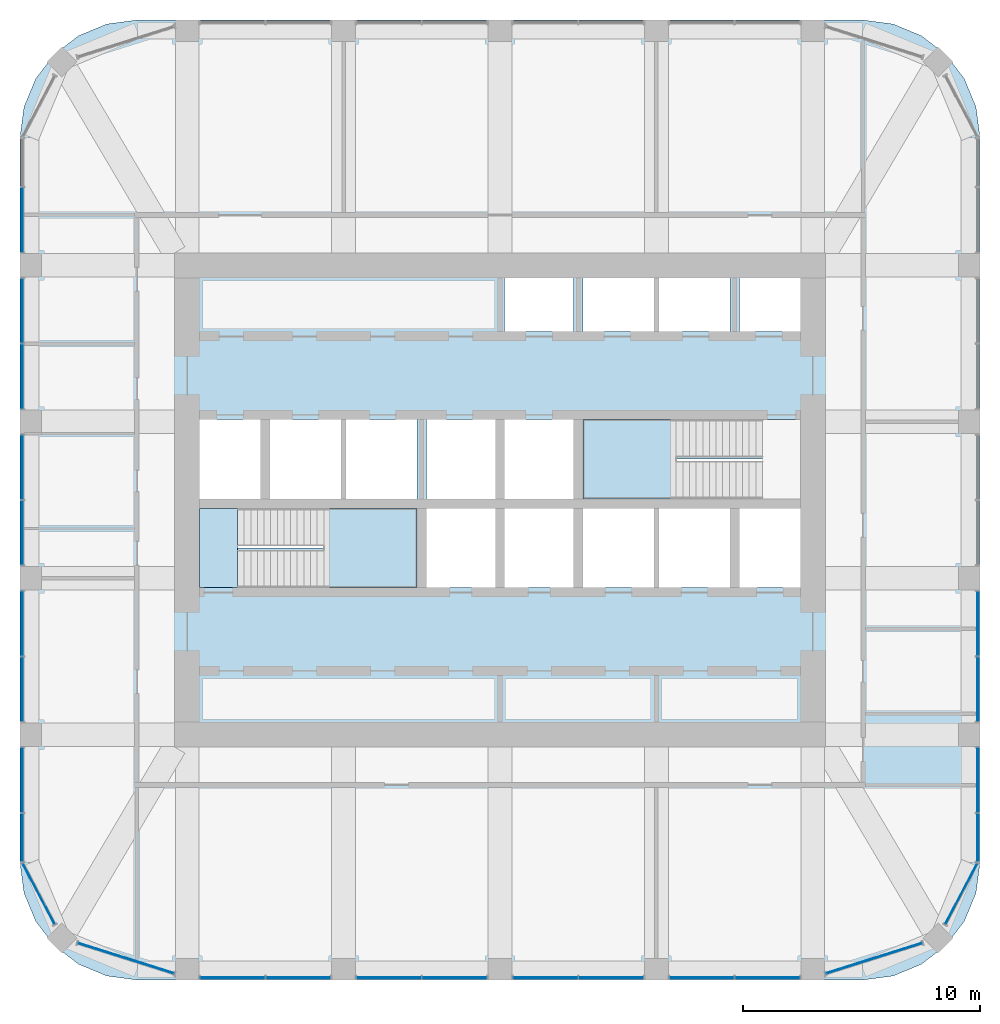
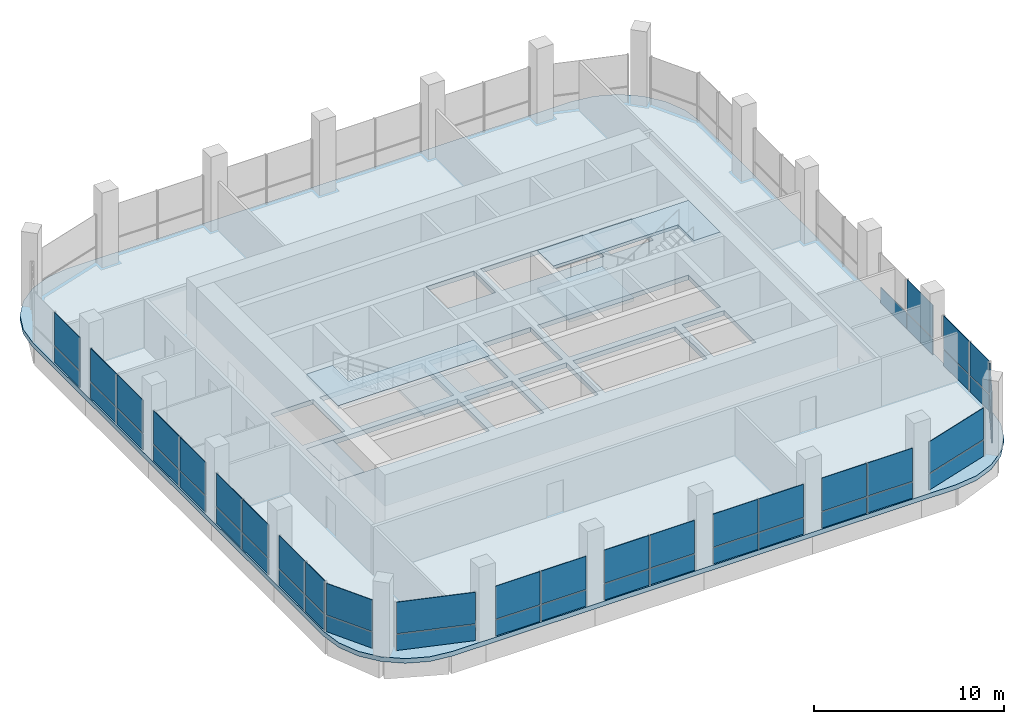
# One storey, part 7 of 13: 49 plates, 6 slabs, 17 elements without a shape of their own.
"""IFC4 building model written with IfcOpenShell, lengths in metres."""

from ifc_helpers import new_model, si_unit, direction, frame, origin, origin_2d, place, context, subcontext, project, spatial, polyline, rectangle, outline, extrude, material, layer, layer_set, type_object, element, aggregate, save


model = new_model("IFC4")

# Units and contexts
model_context = context("Model", 3, precision=1e-05, world=origin(), true_north=direction((0.0, 1.0)))
body_context = subcontext(model_context, "Body", "Model", "MODEL_VIEW")
ifc_project = project(units=[si_unit("LENGTHUNIT", "METRE"), si_unit("AREAUNIT", "SQUARE_METRE"), si_unit("VOLUMEUNIT", "CUBIC_METRE"), si_unit("PLANEANGLEUNIT", "RADIAN"), si_unit("MASSUNIT", "GRAM", prefix="KILO")], contexts=[model_context])

# Site, building, storey
site_placement = place(None, origin())
site = spatial("IfcSite", under=ifc_project, at=site_placement, CompositionType="ELEMENT")
building_placement = place(site_placement, origin())
building = spatial("IfcBuilding", under=site, at=building_placement, Name="Cobogo Forest Laboratory Tower", CompositionType="ELEMENT")
storey_placement = place(building_placement, frame((0.0, 0.0, 288.0)))
storey = spatial("IfcBuildingStorey", under=building, at=storey_placement, Name="L66", CompositionType="ELEMENT", Elevation=288.0)

# Slab
ifc_material_1 = material(Name="Concrete HA-40 (C40/50)", Category="concrete")
ifc_layer_1 = layer(ifc_material_1, 0.300048828125)
ifc_layer_set_1 = layer_set([ifc_layer_1], Name="Floor slab 300")
slab_type_1 = type_object("IfcSlabType", Name="Floor slab 300", PredefinedType="FLOOR", material=ifc_layer_set_1)
slab_1_placement = place(storey_placement, frame((0.0, 0.0, -0.300048828125)))
element("IfcSlab", 1, at=slab_1_placement, inside=storey, type_object=slab_type_1, Name="L66 floor slab", PredefinedType="FLOOR", context=body_context, shape_type="SweptSolid", body=[
    extrude(outline(polyline([(41.699951171875, 2.85009765625), (42.981201171875, 3.0185546875), (44.175048828125, 3.51318359375), (45.2001953125, 4.2998046875), (45.98681640625, 5.324951171875), (46.4814453125, 6.518798828125), (46.64990234375, 7.800048828125), (46.64990234375, 38.39990234375), (46.4814453125, 39.68115234375), (45.98681640625, 40.875), (45.2001953125, 41.900146484375), (44.175048828125, 42.686767578125), (42.981201171875, 43.181396484375), (41.699951171875, 43.35009765625), (11.10009765625, 43.35009765625), (9.81884765625, 43.181396484375), (8.625, 42.686767578125), (7.599853515625, 41.900146484375), (6.813232421875, 40.875), (6.318603515625, 39.68115234375), (6.14990234375, 38.39990234375), (6.14990234375, 7.800048828125), (6.318603515625, 6.518798828125), (6.813232421875, 5.324951171875), (7.599853515625, 4.2998046875), (8.625, 3.51318359375), (9.81884765625, 3.0185546875), (11.10009765625, 2.85009765625), (41.699951171875, 2.85009765625)]), holes=[polyline([(22.89990234375, 19.39990234375), (13.72509765625, 19.39990234375), (13.72509765625, 22.75), (22.89990234375, 22.75), (22.89990234375, 19.39990234375)]), polyline([(26.199951171875, 19.39990234375), (23.300048828125, 19.39990234375), (23.300048828125, 22.75), (26.199951171875, 22.75), (26.199951171875, 19.39990234375)]), polyline([(29.5, 19.39990234375), (26.60009765625, 19.39990234375), (26.60009765625, 22.75), (29.5, 22.75), (29.5, 19.39990234375)]), polyline([(36.10009765625, 22.75), (36.10009765625, 19.39990234375), (29.89990234375, 19.39990234375), (29.89990234375, 22.75), (36.10009765625, 22.75)]), polyline([(39.074951171875, 19.39990234375), (36.5, 19.39990234375), (36.5, 22.75), (39.074951171875, 22.75), (39.074951171875, 19.39990234375)]), polyline([(16.300048828125, 23.14990234375), (13.72509765625, 23.14990234375), (13.72509765625, 26.5), (16.300048828125, 26.5), (16.300048828125, 23.14990234375)]), polyline([(22.89990234375, 26.5), (22.89990234375, 23.14990234375), (16.699951171875, 23.14990234375), (16.699951171875, 26.5), (22.89990234375, 26.5)]), polyline([(26.199951171875, 23.14990234375), (23.300048828125, 23.14990234375), (23.300048828125, 26.5), (26.199951171875, 26.5), (26.199951171875, 23.14990234375)]), polyline([(29.5, 23.14990234375), (26.60009765625, 23.14990234375), (26.60009765625, 26.5), (29.5, 26.5), (29.5, 23.14990234375)]), polyline([(39.074951171875, 23.14990234375), (29.89990234375, 23.14990234375), (29.89990234375, 26.5), (39.074951171875, 26.5), (39.074951171875, 23.14990234375)]), polyline([(29.5, 30.199951171875), (26.60009765625, 30.199951171875), (26.60009765625, 32.47509765625), (29.5, 32.47509765625), (29.5, 30.199951171875)]), polyline([(36.10009765625, 32.47509765625), (36.10009765625, 30.199951171875), (29.89990234375, 30.199951171875), (29.89990234375, 32.47509765625), (36.10009765625, 32.47509765625)]), polyline([(39.074951171875, 30.199951171875), (36.5, 30.199951171875), (36.5, 32.47509765625), (39.074951171875, 32.47509765625), (39.074951171875, 30.199951171875)])]), origin(), (0.0, 0.0, 1.0), 0.300048828125),
])

# Curtain wall, plates
ifc_material_2 = material(Name="Aluminium curtain wall", Category="aluminium")
curtain_wall_type = type_object("IfcCurtainWallType", Name="CW-C stick curtain wall, crown glazing, conference floor and roof pavilion", PredefinedType="USERDEFINED", material=ifc_material_2)
curtain_wall_1_placement = place(storey_placement, origin())
curtain_wall_1 = element("IfcCurtainWall", 2, at=curtain_wall_1_placement, inside=storey, type_object=curtain_wall_type, Name="Curtain wall 01 L66", ObjectType="STICK CURTAIN WALL", PredefinedType="USERDEFINED")
ifc_material_3 = material(Name="Solar control insulated glass", Category="glass")
ifc_layer_2 = layer(ifc_material_3, 0.031982421875)
ifc_layer_set_2 = layer_set([ifc_layer_2], Name="GP-2 solar control glass unit 32")
plate_type = type_object("IfcPlateType", Name="GP-2 solar control glass unit 32", PredefinedType="CURTAIN_PANEL", material=ifc_layer_set_2)
plate_1_placement = place(storey_placement, frame((15.114990234375, 2.949951171875, 0.0), z_axis=(0.0, 0.0, 1.0), x_axis=(1.0, 0.0, 0.0)))
plate_1 = element("IfcPlate", 3, at=plate_1_placement, type_object=plate_type, Name="CW-C panel 1.1", PredefinedType="CURTAIN_PANEL", context=body_context, shape_type="SweptSolid", body=[
    extrude(rectangle(XDim=2.7099609375, YDim=0.031982421875, at=origin_2d()), origin(), (0.0, 0.0, 1.0), 1.02001953125),
])
plate_2_placement = place(storey_placement, frame((15.114990234375, 2.949951171875, 1.079833984375), z_axis=(0.0, 0.0, 1.0), x_axis=(1.0, 0.0, 0.0)))
plate_2 = element("IfcPlate", 4, at=plate_2_placement, type_object=plate_type, Name="CW-C panel 1.2", PredefinedType="CURTAIN_PANEL", context=body_context, shape_type="SweptSolid", body=[
    extrude(rectangle(XDim=2.7099609375, YDim=0.031982421875, at=origin_2d()), origin(), (0.0, 0.0, 1.0), 2.1201171875),
])
plate_3_placement = place(storey_placement, frame((17.885009765625, 2.949951171875, 0.0), z_axis=(0.0, 0.0, 1.0), x_axis=(1.0, 0.0, 0.0)))
plate_3 = element("IfcPlate", 5, at=plate_3_placement, type_object=plate_type, Name="CW-C panel 2.1", PredefinedType="CURTAIN_PANEL", context=body_context, shape_type="SweptSolid", body=[
    extrude(rectangle(XDim=2.7099609375, YDim=0.031982421875, at=origin_2d()), origin(), (0.0, 0.0, 1.0), 1.02001953125),
])
plate_4_placement = place(storey_placement, frame((17.885009765625, 2.949951171875, 1.079833984375), z_axis=(0.0, 0.0, 1.0), x_axis=(1.0, 0.0, 0.0)))
plate_4 = element("IfcPlate", 6, at=plate_4_placement, type_object=plate_type, Name="CW-C panel 2.2", PredefinedType="CURTAIN_PANEL", context=body_context, shape_type="SweptSolid", body=[
    extrude(rectangle(XDim=2.7099609375, YDim=0.031982421875, at=origin_2d()), origin(), (0.0, 0.0, 1.0), 2.1201171875),
])
aggregate(curtain_wall_1, [plate_1, plate_2, plate_3, plate_4])

curtain_wall_2_placement = place(storey_placement, origin())
curtain_wall_2 = element("IfcCurtainWall", 7, at=curtain_wall_2_placement, inside=storey, type_object=curtain_wall_type, Name="Curtain wall 02 L66", ObjectType="STICK CURTAIN WALL", PredefinedType="USERDEFINED")
plate_5_placement = place(storey_placement, frame((21.715087890625, 2.949951171875, 0.0), z_axis=(0.0, 0.0, 1.0), x_axis=(1.0, 0.0, 0.0)))
plate_5 = element("IfcPlate", 8, at=plate_5_placement, type_object=plate_type, Name="CW-C panel 1.1", PredefinedType="CURTAIN_PANEL", context=body_context, shape_type="SweptSolid", body=[
    extrude(rectangle(XDim=2.7099609375, YDim=0.031982421875, at=origin_2d()), origin(), (0.0, 0.0, 1.0), 1.02001953125),
])
plate_6_placement = place(storey_placement, frame((21.715087890625, 2.949951171875, 1.079833984375), z_axis=(0.0, 0.0, 1.0), x_axis=(1.0, 0.0, 0.0)))
plate_6 = element("IfcPlate", 9, at=plate_6_placement, type_object=plate_type, Name="CW-C panel 1.2", PredefinedType="CURTAIN_PANEL", context=body_context, shape_type="SweptSolid", body=[
    extrude(rectangle(XDim=2.7099609375, YDim=0.031982421875, at=origin_2d()), origin(), (0.0, 0.0, 1.0), 2.1201171875),
])
plate_7_placement = place(storey_placement, frame((24.485107421875, 2.949951171875, 0.0), z_axis=(0.0, 0.0, 1.0), x_axis=(1.0, 0.0, 0.0)))
plate_7 = element("IfcPlate", 10, at=plate_7_placement, type_object=plate_type, Name="CW-C panel 2.1", PredefinedType="CURTAIN_PANEL", context=body_context, shape_type="SweptSolid", body=[
    extrude(rectangle(XDim=2.7099609375, YDim=0.031982421875, at=origin_2d()), origin(), (0.0, 0.0, 1.0), 1.02001953125),
])
plate_8_placement = place(storey_placement, frame((24.485107421875, 2.949951171875, 1.079833984375), z_axis=(0.0, 0.0, 1.0), x_axis=(1.0, 0.0, 0.0)))
plate_8 = element("IfcPlate", 11, at=plate_8_placement, type_object=plate_type, Name="CW-C panel 2.2", PredefinedType="CURTAIN_PANEL", context=body_context, shape_type="SweptSolid", body=[
    extrude(rectangle(XDim=2.7099609375, YDim=0.031982421875, at=origin_2d()), origin(), (0.0, 0.0, 1.0), 2.1201171875),
])
aggregate(curtain_wall_2, [plate_5, plate_6, plate_7, plate_8])

curtain_wall_3_placement = place(storey_placement, origin())
curtain_wall_3 = element("IfcCurtainWall", 12, at=curtain_wall_3_placement, inside=storey, type_object=curtain_wall_type, Name="Curtain wall 03 L66", ObjectType="STICK CURTAIN WALL", PredefinedType="USERDEFINED")
plate_9_placement = place(storey_placement, frame((28.31494140625, 2.949951171875, 0.0), z_axis=(0.0, 0.0, 1.0), x_axis=(1.0, 0.0, 0.0)))
plate_9 = element("IfcPlate", 13, at=plate_9_placement, type_object=plate_type, Name="CW-C panel 1.1", PredefinedType="CURTAIN_PANEL", context=body_context, shape_type="SweptSolid", body=[
    extrude(rectangle(XDim=2.7099609375, YDim=0.031982421875, at=origin_2d()), origin(), (0.0, 0.0, 1.0), 1.02001953125),
])
plate_10_placement = place(storey_placement, frame((28.31494140625, 2.949951171875, 1.079833984375), z_axis=(0.0, 0.0, 1.0), x_axis=(1.0, 0.0, 0.0)))
plate_10 = element("IfcPlate", 14, at=plate_10_placement, type_object=plate_type, Name="CW-C panel 1.2", PredefinedType="CURTAIN_PANEL", context=body_context, shape_type="SweptSolid", body=[
    extrude(rectangle(XDim=2.7099609375, YDim=0.031982421875, at=origin_2d()), origin(), (0.0, 0.0, 1.0), 2.1201171875),
])
plate_11_placement = place(storey_placement, frame((31.0849609375, 2.949951171875, 0.0), z_axis=(0.0, 0.0, 1.0), x_axis=(1.0, 0.0, 0.0)))
plate_11 = element("IfcPlate", 15, at=plate_11_placement, type_object=plate_type, Name="CW-C panel 2.1", PredefinedType="CURTAIN_PANEL", context=body_context, shape_type="SweptSolid", body=[
    extrude(rectangle(XDim=2.7099609375, YDim=0.031982421875, at=origin_2d()), origin(), (0.0, 0.0, 1.0), 1.02001953125),
])
plate_12_placement = place(storey_placement, frame((31.0849609375, 2.949951171875, 1.079833984375), z_axis=(0.0, 0.0, 1.0), x_axis=(1.0, 0.0, 0.0)))
plate_12 = element("IfcPlate", 16, at=plate_12_placement, type_object=plate_type, Name="CW-C panel 2.2", PredefinedType="CURTAIN_PANEL", context=body_context, shape_type="SweptSolid", body=[
    extrude(rectangle(XDim=2.7099609375, YDim=0.031982421875, at=origin_2d()), origin(), (0.0, 0.0, 1.0), 2.1201171875),
])
aggregate(curtain_wall_3, [plate_9, plate_10, plate_11, plate_12])

curtain_wall_4_placement = place(storey_placement, origin())
curtain_wall_4 = element("IfcCurtainWall", 17, at=curtain_wall_4_placement, inside=storey, type_object=curtain_wall_type, Name="Curtain wall 04 L66", ObjectType="STICK CURTAIN WALL", PredefinedType="USERDEFINED")
plate_13_placement = place(storey_placement, frame((34.9150390625, 2.949951171875, 0.0), z_axis=(0.0, 0.0, 1.0), x_axis=(1.0, 0.0, 0.0)))
plate_13 = element("IfcPlate", 18, at=plate_13_placement, type_object=plate_type, Name="CW-C panel 1.1", PredefinedType="CURTAIN_PANEL", context=body_context, shape_type="SweptSolid", body=[
    extrude(rectangle(XDim=2.7099609375, YDim=0.031982421875, at=origin_2d()), origin(), (0.0, 0.0, 1.0), 1.02001953125),
])
plate_14_placement = place(storey_placement, frame((34.9150390625, 2.949951171875, 1.079833984375), z_axis=(0.0, 0.0, 1.0), x_axis=(1.0, 0.0, 0.0)))
plate_14 = element("IfcPlate", 19, at=plate_14_placement, type_object=plate_type, Name="CW-C panel 1.2", PredefinedType="CURTAIN_PANEL", context=body_context, shape_type="SweptSolid", body=[
    extrude(rectangle(XDim=2.7099609375, YDim=0.031982421875, at=origin_2d()), origin(), (0.0, 0.0, 1.0), 2.1201171875),
])
plate_15_placement = place(storey_placement, frame((37.68505859375, 2.949951171875, 0.0), z_axis=(0.0, 0.0, 1.0), x_axis=(1.0, 0.0, 0.0)))
plate_15 = element("IfcPlate", 20, at=plate_15_placement, type_object=plate_type, Name="CW-C panel 2.1", PredefinedType="CURTAIN_PANEL", context=body_context, shape_type="SweptSolid", body=[
    extrude(rectangle(XDim=2.7099609375, YDim=0.031982421875, at=origin_2d()), origin(), (0.0, 0.0, 1.0), 1.02001953125),
])
plate_16_placement = place(storey_placement, frame((37.68505859375, 2.949951171875, 1.079833984375), z_axis=(0.0, 0.0, 1.0), x_axis=(1.0, 0.0, 0.0)))
plate_16 = element("IfcPlate", 21, at=plate_16_placement, type_object=plate_type, Name="CW-C panel 2.2", PredefinedType="CURTAIN_PANEL", context=body_context, shape_type="SweptSolid", body=[
    extrude(rectangle(XDim=2.7099609375, YDim=0.031982421875, at=origin_2d()), origin(), (0.0, 0.0, 1.0), 2.1201171875),
])
aggregate(curtain_wall_4, [plate_13, plate_14, plate_15, plate_16])

curtain_wall_5_placement = place(storey_placement, origin())
curtain_wall_5 = element("IfcCurtainWall", 22, at=curtain_wall_5_placement, inside=storey, type_object=curtain_wall_type, Name="Curtain wall 05 L66", ObjectType="STICK CURTAIN WALL", PredefinedType="USERDEFINED")
plate_17_placement = place(storey_placement, frame((42.17919921875, 3.7646484375, 0.0), z_axis=(0.0, 0.0, 1.0), x_axis=(0.953581379409, 0.301135439371, 0.0)))
plate_17 = element("IfcPlate", 23, at=plate_17_placement, type_object=plate_type, Name="CW-C panel 1.1", PredefinedType="CURTAIN_PANEL", context=body_context, shape_type="SweptSolid", body=[
    extrude(rectangle(XDim=4.240966796875, YDim=0.031982421875, at=origin_2d()), origin(), (0.0, 0.0, 1.0), 1.02001953125),
])
plate_18_placement = place(storey_placement, frame((42.17919921875, 3.7646484375, 1.080078125), z_axis=(0.0, 0.0, 1.0), x_axis=(0.953581379409, 0.301135439371, 0.0)))
plate_18 = element("IfcPlate", 24, at=plate_18_placement, type_object=plate_type, Name="CW-C panel 1.2", PredefinedType="CURTAIN_PANEL", context=body_context, shape_type="SweptSolid", body=[
    extrude(rectangle(XDim=4.240966796875, YDim=0.031982421875, at=origin_2d()), origin(), (0.0, 0.0, 1.0), 2.02001953125),
])
aggregate(curtain_wall_5, [plate_17, plate_18])

curtain_wall_6_placement = place(storey_placement, origin())
curtain_wall_6 = element("IfcCurtainWall", 25, at=curtain_wall_6_placement, inside=storey, type_object=curtain_wall_type, Name="Curtain wall 06 L66", ObjectType="STICK CURTAIN WALL", PredefinedType="USERDEFINED")
plate_19_placement = place(storey_placement, frame((45.85693359375, 6.47802734375, 0.0), z_axis=(0.0, 0.0, 1.0), x_axis=(0.464283778337, 0.885686498245, 0.0)))
plate_19 = element("IfcPlate", 26, at=plate_19_placement, type_object=plate_type, Name="CW-C panel 1.1", PredefinedType="CURTAIN_PANEL", context=body_context, shape_type="SweptSolid", body=[
    extrude(rectangle(XDim=2.864990234375, YDim=0.031982421875, at=origin_2d()), origin(), (0.0, 0.0, 1.0), 1.02001953125),
])
plate_20_placement = place(storey_placement, frame((45.85693359375, 6.47802734375, 1.080078125), z_axis=(0.0, 0.0, 1.0), x_axis=(0.464283778337, 0.885686498245, 0.0)))
plate_20 = element("IfcPlate", 27, at=plate_20_placement, type_object=plate_type, Name="CW-C panel 1.2", PredefinedType="CURTAIN_PANEL", context=body_context, shape_type="SweptSolid", body=[
    extrude(rectangle(XDim=2.864990234375, YDim=0.031982421875, at=origin_2d()), origin(), (0.0, 0.0, 1.0), 2.02001953125),
])
aggregate(curtain_wall_6, [plate_19, plate_20])

curtain_wall_7_placement = place(storey_placement, origin())
curtain_wall_7 = element("IfcCurtainWall", 28, at=curtain_wall_7_placement, inside=storey, type_object=curtain_wall_type, Name="Curtain wall 07 L66", ObjectType="STICK CURTAIN WALL", PredefinedType="USERDEFINED")
plate_21_placement = place(storey_placement, frame((46.550048828125, 8.864990234375, 0.0), z_axis=(0.0, 0.0, 1.0), x_axis=(0.0, 1.0, 0.0)))
plate_21 = element("IfcPlate", 29, at=plate_21_placement, type_object=plate_type, Name="CW-C panel 1.1", PredefinedType="CURTAIN_PANEL", context=body_context, shape_type="SweptSolid", body=[
    extrude(rectangle(XDim=2.010009765625, YDim=0.031982421875, at=origin_2d()), origin(), (0.0, 0.0, 1.0), 1.02001953125),
])
plate_22_placement = place(storey_placement, frame((46.550048828125, 8.864990234375, 1.079833984375), z_axis=(0.0, 0.0, 1.0), x_axis=(0.0, 1.0, 0.0)))
plate_22 = element("IfcPlate", 30, at=plate_22_placement, type_object=plate_type, Name="CW-C panel 1.2", PredefinedType="CURTAIN_PANEL", context=body_context, shape_type="SweptSolid", body=[
    extrude(rectangle(XDim=2.010009765625, YDim=0.031982421875, at=origin_2d()), origin(), (0.0, 0.0, 1.0), 2.1201171875),
])
plate_23_placement = place(storey_placement, frame((46.550048828125, 11.284912109375, 0.0), z_axis=(0.0, 0.0, 1.0), x_axis=(0.0, 1.0, 0.0)))
plate_23 = element("IfcPlate", 31, at=plate_23_placement, type_object=plate_type, Name="CW-C panel 2.1", PredefinedType="CURTAIN_PANEL", context=body_context, shape_type="SweptSolid", body=[
    extrude(rectangle(XDim=2.7099609375, YDim=0.031982421875, at=origin_2d()), origin(), (0.0, 0.0, 1.0), 1.02001953125),
])
plate_24_placement = place(storey_placement, frame((46.550048828125, 11.284912109375, 1.079833984375), z_axis=(0.0, 0.0, 1.0), x_axis=(0.0, 1.0, 0.0)))
plate_24 = element("IfcPlate", 32, at=plate_24_placement, type_object=plate_type, Name="CW-C panel 2.2", PredefinedType="CURTAIN_PANEL", context=body_context, shape_type="SweptSolid", body=[
    extrude(rectangle(XDim=2.7099609375, YDim=0.031982421875, at=origin_2d()), origin(), (0.0, 0.0, 1.0), 2.1201171875),
])
aggregate(curtain_wall_7, [plate_21, plate_22, plate_23, plate_24])

curtain_wall_8_placement = place(storey_placement, origin())
curtain_wall_8 = element("IfcCurtainWall", 33, at=curtain_wall_8_placement, inside=storey, type_object=curtain_wall_type, Name="Curtain wall 08 L66", ObjectType="STICK CURTAIN WALL", PredefinedType="USERDEFINED")
plate_25_placement = place(storey_placement, frame((46.550048828125, 15.114990234375, 0.0), z_axis=(0.0, 0.0, 1.0), x_axis=(0.0, 1.0, 0.0)))
plate_25 = element("IfcPlate", 34, at=plate_25_placement, type_object=plate_type, Name="CW-C panel 1.1", PredefinedType="CURTAIN_PANEL", context=body_context, shape_type="SweptSolid", body=[
    extrude(rectangle(XDim=2.7099609375, YDim=0.031982421875, at=origin_2d()), origin(), (0.0, 0.0, 1.0), 1.02001953125),
])
plate_26_placement = place(storey_placement, frame((46.550048828125, 15.114990234375, 1.079833984375), z_axis=(0.0, 0.0, 1.0), x_axis=(0.0, 1.0, 0.0)))
plate_26 = element("IfcPlate", 35, at=plate_26_placement, type_object=plate_type, Name="CW-C panel 1.2", PredefinedType="CURTAIN_PANEL", context=body_context, shape_type="SweptSolid", body=[
    extrude(rectangle(XDim=2.7099609375, YDim=0.031982421875, at=origin_2d()), origin(), (0.0, 0.0, 1.0), 2.1201171875),
])
plate_27_placement = place(storey_placement, frame((46.550048828125, 17.885009765625, 0.0), z_axis=(0.0, 0.0, 1.0), x_axis=(0.0, 1.0, 0.0)))
plate_27 = element("IfcPlate", 36, at=plate_27_placement, type_object=plate_type, Name="CW-C panel 2.1", PredefinedType="CURTAIN_PANEL", context=body_context, shape_type="SweptSolid", body=[
    extrude(rectangle(XDim=2.7099609375, YDim=0.031982421875, at=origin_2d()), origin(), (0.0, 0.0, 1.0), 1.02001953125),
])
aggregate(curtain_wall_8, [plate_25, plate_26, plate_27])

curtain_wall_9_placement = place(storey_placement, origin())
curtain_wall_9 = element("IfcCurtainWall", 37, at=curtain_wall_9_placement, inside=storey, type_object=curtain_wall_type, Name="Curtain wall 20 L66", ObjectType="STICK CURTAIN WALL", PredefinedType="USERDEFINED")
plate_28_placement = place(storey_placement, frame((6.25, 34.9150390625, 0.0), z_axis=(0.0, 0.0, 1.0), x_axis=(0.0, -1.0, 0.0)))
plate_28 = element("IfcPlate", 38, at=plate_28_placement, type_object=plate_type, Name="CW-C panel 2.1", PredefinedType="CURTAIN_PANEL", context=body_context, shape_type="SweptSolid", body=[
    extrude(rectangle(XDim=2.7099609375, YDim=0.031982421875, at=origin_2d()), origin(), (0.0, 0.0, 1.0), 1.02001953125),
])
plate_29_placement = place(storey_placement, frame((6.25, 34.9150390625, 1.079833984375), z_axis=(0.0, 0.0, 1.0), x_axis=(0.0, -1.0, 0.0)))
plate_29 = element("IfcPlate", 39, at=plate_29_placement, type_object=plate_type, Name="CW-C panel 2.2", PredefinedType="CURTAIN_PANEL", context=body_context, shape_type="SweptSolid", body=[
    extrude(rectangle(XDim=2.7099609375, YDim=0.031982421875, at=origin_2d()), origin(), (0.0, 0.0, 1.0), 2.1201171875),
])
aggregate(curtain_wall_9, [plate_28, plate_29])

curtain_wall_10_placement = place(storey_placement, origin())
curtain_wall_10 = element("IfcCurtainWall", 40, at=curtain_wall_10_placement, inside=storey, type_object=curtain_wall_type, Name="Curtain wall 21 L66", ObjectType="STICK CURTAIN WALL", PredefinedType="USERDEFINED")
plate_30_placement = place(storey_placement, frame((6.25, 31.0849609375, 0.0), z_axis=(0.0, 0.0, 1.0), x_axis=(0.0, -1.0, 0.0)))
plate_30 = element("IfcPlate", 41, at=plate_30_placement, type_object=plate_type, Name="CW-C panel 1.1", PredefinedType="CURTAIN_PANEL", context=body_context, shape_type="SweptSolid", body=[
    extrude(rectangle(XDim=2.7099609375, YDim=0.031982421875, at=origin_2d()), origin(), (0.0, 0.0, 1.0), 1.02001953125),
])
plate_31_placement = place(storey_placement, frame((6.25, 31.0849609375, 1.079833984375), z_axis=(0.0, 0.0, 1.0), x_axis=(0.0, -1.0, 0.0)))
plate_31 = element("IfcPlate", 42, at=plate_31_placement, type_object=plate_type, Name="CW-C panel 1.2", PredefinedType="CURTAIN_PANEL", context=body_context, shape_type="SweptSolid", body=[
    extrude(rectangle(XDim=2.7099609375, YDim=0.031982421875, at=origin_2d()), origin(), (0.0, 0.0, 1.0), 2.1201171875),
])
plate_32_placement = place(storey_placement, frame((6.25, 28.31494140625, 0.0), z_axis=(0.0, 0.0, 1.0), x_axis=(0.0, -1.0, 0.0)))
plate_32 = element("IfcPlate", 43, at=plate_32_placement, type_object=plate_type, Name="CW-C panel 2.1", PredefinedType="CURTAIN_PANEL", context=body_context, shape_type="SweptSolid", body=[
    extrude(rectangle(XDim=2.7099609375, YDim=0.031982421875, at=origin_2d()), origin(), (0.0, 0.0, 1.0), 1.02001953125),
])
plate_33_placement = place(storey_placement, frame((6.25, 28.31494140625, 1.079833984375), z_axis=(0.0, 0.0, 1.0), x_axis=(0.0, -1.0, 0.0)))
plate_33 = element("IfcPlate", 44, at=plate_33_placement, type_object=plate_type, Name="CW-C panel 2.2", PredefinedType="CURTAIN_PANEL", context=body_context, shape_type="SweptSolid", body=[
    extrude(rectangle(XDim=2.7099609375, YDim=0.031982421875, at=origin_2d()), origin(), (0.0, 0.0, 1.0), 2.1201171875),
])
aggregate(curtain_wall_10, [plate_30, plate_31, plate_32, plate_33])

curtain_wall_11_placement = place(storey_placement, origin())
curtain_wall_11 = element("IfcCurtainWall", 45, at=curtain_wall_11_placement, inside=storey, type_object=curtain_wall_type, Name="Curtain wall 22 L66", ObjectType="STICK CURTAIN WALL", PredefinedType="USERDEFINED")
plate_34_placement = place(storey_placement, frame((6.25, 24.485107421875, 0.0), z_axis=(0.0, 0.0, 1.0), x_axis=(0.0, -1.0, 0.0)))
plate_34 = element("IfcPlate", 46, at=plate_34_placement, type_object=plate_type, Name="CW-C panel 1.1", PredefinedType="CURTAIN_PANEL", context=body_context, shape_type="SweptSolid", body=[
    extrude(rectangle(XDim=2.7099609375, YDim=0.031982421875, at=origin_2d()), origin(), (0.0, 0.0, 1.0), 1.02001953125),
])
plate_35_placement = place(storey_placement, frame((6.25, 24.485107421875, 1.079833984375), z_axis=(0.0, 0.0, 1.0), x_axis=(0.0, -1.0, 0.0)))
plate_35 = element("IfcPlate", 47, at=plate_35_placement, type_object=plate_type, Name="CW-C panel 1.2", PredefinedType="CURTAIN_PANEL", context=body_context, shape_type="SweptSolid", body=[
    extrude(rectangle(XDim=2.7099609375, YDim=0.031982421875, at=origin_2d()), origin(), (0.0, 0.0, 1.0), 2.1201171875),
])
plate_36_placement = place(storey_placement, frame((6.25, 21.715087890625, 0.0), z_axis=(0.0, 0.0, 1.0), x_axis=(0.0, -1.0, 0.0)))
plate_36 = element("IfcPlate", 48, at=plate_36_placement, type_object=plate_type, Name="CW-C panel 2.1", PredefinedType="CURTAIN_PANEL", context=body_context, shape_type="SweptSolid", body=[
    extrude(rectangle(XDim=2.7099609375, YDim=0.031982421875, at=origin_2d()), origin(), (0.0, 0.0, 1.0), 1.02001953125),
])
plate_37_placement = place(storey_placement, frame((6.25, 21.715087890625, 1.079833984375), z_axis=(0.0, 0.0, 1.0), x_axis=(0.0, -1.0, 0.0)))
plate_37 = element("IfcPlate", 49, at=plate_37_placement, type_object=plate_type, Name="CW-C panel 2.2", PredefinedType="CURTAIN_PANEL", context=body_context, shape_type="SweptSolid", body=[
    extrude(rectangle(XDim=2.7099609375, YDim=0.031982421875, at=origin_2d()), origin(), (0.0, 0.0, 1.0), 2.1201171875),
])
aggregate(curtain_wall_11, [plate_34, plate_35, plate_36, plate_37])

curtain_wall_12_placement = place(storey_placement, origin())
curtain_wall_12 = element("IfcCurtainWall", 50, at=curtain_wall_12_placement, inside=storey, type_object=curtain_wall_type, Name="Curtain wall 23 L66", ObjectType="STICK CURTAIN WALL", PredefinedType="USERDEFINED")
plate_38_placement = place(storey_placement, frame((6.25, 17.885009765625, 0.0), z_axis=(0.0, 0.0, 1.0), x_axis=(0.0, -1.0, 0.0)))
plate_38 = element("IfcPlate", 51, at=plate_38_placement, type_object=plate_type, Name="CW-C panel 1.1", PredefinedType="CURTAIN_PANEL", context=body_context, shape_type="SweptSolid", body=[
    extrude(rectangle(XDim=2.7099609375, YDim=0.031982421875, at=origin_2d()), origin(), (0.0, 0.0, 1.0), 1.02001953125),
])
plate_39_placement = place(storey_placement, frame((6.25, 17.885009765625, 1.079833984375), z_axis=(0.0, 0.0, 1.0), x_axis=(0.0, -1.0, 0.0)))
plate_39 = element("IfcPlate", 52, at=plate_39_placement, type_object=plate_type, Name="CW-C panel 1.2", PredefinedType="CURTAIN_PANEL", context=body_context, shape_type="SweptSolid", body=[
    extrude(rectangle(XDim=2.7099609375, YDim=0.031982421875, at=origin_2d()), origin(), (0.0, 0.0, 1.0), 2.1201171875),
])
plate_40_placement = place(storey_placement, frame((6.25, 15.114990234375, 0.0), z_axis=(0.0, 0.0, 1.0), x_axis=(0.0, -1.0, 0.0)))
plate_40 = element("IfcPlate", 53, at=plate_40_placement, type_object=plate_type, Name="CW-C panel 2.1", PredefinedType="CURTAIN_PANEL", context=body_context, shape_type="SweptSolid", body=[
    extrude(rectangle(XDim=2.7099609375, YDim=0.031982421875, at=origin_2d()), origin(), (0.0, 0.0, 1.0), 1.02001953125),
])
plate_41_placement = place(storey_placement, frame((6.25, 15.114990234375, 1.079833984375), z_axis=(0.0, 0.0, 1.0), x_axis=(0.0, -1.0, 0.0)))
plate_41 = element("IfcPlate", 54, at=plate_41_placement, type_object=plate_type, Name="CW-C panel 2.2", PredefinedType="CURTAIN_PANEL", context=body_context, shape_type="SweptSolid", body=[
    extrude(rectangle(XDim=2.7099609375, YDim=0.031982421875, at=origin_2d()), origin(), (0.0, 0.0, 1.0), 2.1201171875),
])
aggregate(curtain_wall_12, [plate_38, plate_39, plate_40, plate_41])

curtain_wall_13_placement = place(storey_placement, origin())
curtain_wall_13 = element("IfcCurtainWall", 55, at=curtain_wall_13_placement, inside=storey, type_object=curtain_wall_type, Name="Curtain wall 24 L66", ObjectType="STICK CURTAIN WALL", PredefinedType="USERDEFINED")
plate_42_placement = place(storey_placement, frame((6.25, 11.284912109375, 0.0), z_axis=(0.0, 0.0, 1.0), x_axis=(0.0, -1.0, 0.0)))
plate_42 = element("IfcPlate", 56, at=plate_42_placement, type_object=plate_type, Name="CW-C panel 1.1", PredefinedType="CURTAIN_PANEL", context=body_context, shape_type="SweptSolid", body=[
    extrude(rectangle(XDim=2.7099609375, YDim=0.031982421875, at=origin_2d()), origin(), (0.0, 0.0, 1.0), 1.02001953125),
])
plate_43_placement = place(storey_placement, frame((6.25, 11.284912109375, 1.079833984375), z_axis=(0.0, 0.0, 1.0), x_axis=(0.0, -1.0, 0.0)))
plate_43 = element("IfcPlate", 57, at=plate_43_placement, type_object=plate_type, Name="CW-C panel 1.2", PredefinedType="CURTAIN_PANEL", context=body_context, shape_type="SweptSolid", body=[
    extrude(rectangle(XDim=2.7099609375, YDim=0.031982421875, at=origin_2d()), origin(), (0.0, 0.0, 1.0), 2.1201171875),
])
plate_44_placement = place(storey_placement, frame((6.25, 8.864990234375, 0.0), z_axis=(0.0, 0.0, 1.0), x_axis=(0.0, -1.0, 0.0)))
plate_44 = element("IfcPlate", 58, at=plate_44_placement, type_object=plate_type, Name="CW-C panel 2.1", PredefinedType="CURTAIN_PANEL", context=body_context, shape_type="SweptSolid", body=[
    extrude(rectangle(XDim=2.010009765625, YDim=0.031982421875, at=origin_2d()), origin(), (0.0, 0.0, 1.0), 1.02001953125),
])
plate_45_placement = place(storey_placement, frame((6.25, 8.864990234375, 1.079833984375), z_axis=(0.0, 0.0, 1.0), x_axis=(0.0, -1.0, 0.0)))
plate_45 = element("IfcPlate", 59, at=plate_45_placement, type_object=plate_type, Name="CW-C panel 2.2", PredefinedType="CURTAIN_PANEL", context=body_context, shape_type="SweptSolid", body=[
    extrude(rectangle(XDim=2.010009765625, YDim=0.031982421875, at=origin_2d()), origin(), (0.0, 0.0, 1.0), 2.1201171875),
])
aggregate(curtain_wall_13, [plate_42, plate_43, plate_44, plate_45])

curtain_wall_14_placement = place(storey_placement, origin())
curtain_wall_14 = element("IfcCurtainWall", 60, at=curtain_wall_14_placement, inside=storey, type_object=curtain_wall_type, Name="Curtain wall 25 L66", ObjectType="STICK CURTAIN WALL", PredefinedType="USERDEFINED")
plate_46_placement = place(storey_placement, frame((6.94287109375, 6.47802734375, 0.0), z_axis=(0.0, 0.0, 1.0), x_axis=(0.464283778337, -0.885686498245, 0.0)))
plate_46 = element("IfcPlate", 61, at=plate_46_placement, type_object=plate_type, Name="CW-C panel 1.1", PredefinedType="CURTAIN_PANEL", context=body_context, shape_type="SweptSolid", body=[
    extrude(rectangle(XDim=2.864990234375, YDim=0.031982421875, at=origin_2d()), origin(), (0.0, 0.0, 1.0), 1.02001953125),
])
plate_47_placement = place(storey_placement, frame((6.94287109375, 6.47802734375, 1.080078125), z_axis=(0.0, 0.0, 1.0), x_axis=(0.464283778337, -0.885686498245, 0.0)))
plate_47 = element("IfcPlate", 62, at=plate_47_placement, type_object=plate_type, Name="CW-C panel 1.2", PredefinedType="CURTAIN_PANEL", context=body_context, shape_type="SweptSolid", body=[
    extrude(rectangle(XDim=2.864990234375, YDim=0.031982421875, at=origin_2d()), origin(), (0.0, 0.0, 1.0), 2.02001953125),
])
aggregate(curtain_wall_14, [plate_46, plate_47])

curtain_wall_15_placement = place(storey_placement, origin())
curtain_wall_15 = element("IfcCurtainWall", 63, at=curtain_wall_15_placement, inside=storey, type_object=curtain_wall_type, Name="Curtain wall 26 L66", ObjectType="STICK CURTAIN WALL", PredefinedType="USERDEFINED")
plate_48_placement = place(storey_placement, frame((10.62060546875, 3.7646484375, 0.0), z_axis=(0.0, 0.0, 1.0), x_axis=(0.953581379409, -0.301135439371, 0.0)))
plate_48 = element("IfcPlate", 64, at=plate_48_placement, type_object=plate_type, Name="CW-C panel 1.1", PredefinedType="CURTAIN_PANEL", context=body_context, shape_type="SweptSolid", body=[
    extrude(rectangle(XDim=4.240966796875, YDim=0.031982421875, at=origin_2d()), origin(), (0.0, 0.0, 1.0), 1.02001953125),
])
plate_49_placement = place(storey_placement, frame((10.62060546875, 3.7646484375, 1.080078125), z_axis=(0.0, 0.0, 1.0), x_axis=(0.953581379409, -0.301135439371, 0.0)))
plate_49 = element("IfcPlate", 65, at=plate_49_placement, type_object=plate_type, Name="CW-C panel 1.2", PredefinedType="CURTAIN_PANEL", context=body_context, shape_type="SweptSolid", body=[
    extrude(rectangle(XDim=4.240966796875, YDim=0.031982421875, at=origin_2d()), origin(), (0.0, 0.0, 1.0), 2.02001953125),
])
aggregate(curtain_wall_15, [plate_48, plate_49])

# Stair, slabs
ifc_material_4 = material(Name="Precast concrete HA-40 (C40/50)", Category="concrete")
stair_type = type_object("IfcStairType", Name="ST28 exit stair 28 risers", PredefinedType="HALF_TURN_STAIR", material=ifc_material_4)
stair_1_placement = place(storey_placement, origin())
stair_1 = element("IfcStair", 66, at=stair_1_placement, inside=storey, type_object=stair_type, Name="Stair 1 L66 to RF", PredefinedType="HALF_TURN_STAIR")
ifc_layer_3 = layer(ifc_material_1, 0.199951171875)
ifc_layer_set_3 = layer_set([ifc_layer_3], Name="SL stair landing 200")
slab_type_2 = type_object("IfcSlabType", Name="SL stair landing 200", PredefinedType="LANDING", material=ifc_layer_set_3)
slab_2_placement = place(storey_placement, frame((0.0, 0.0, -0.199951171875)))
slab_2 = element("IfcSlab", 67, at=slab_2_placement, type_object=slab_type_2, Name="ST1 landing 1", PredefinedType="LANDING", context=body_context, shape_type="SweptSolid", body=[
    extrude(outline(polyline([(13.72509765625, 19.39990234375), (15.326904296875, 19.39990234375), (15.326904296875, 22.75), (13.72509765625, 22.75), (13.72509765625, 19.39990234375)])), origin(), (0.0, 0.0, 1.0), 0.199951171875),
])
slab_3_placement = place(storey_placement, frame((0.0, 0.0, 2.199951171875)))
slab_3 = element("IfcSlab", 68, at=slab_3_placement, type_object=slab_type_2, Name="ST1 landing 2", PredefinedType="LANDING", context=body_context, shape_type="SweptSolid", body=[
    extrude(outline(polyline([(18.962890625, 19.39990234375), (22.89990234375, 19.39990234375), (22.89990234375, 22.75), (18.962890625, 22.75), (18.962890625, 19.39990234375)])), origin(), (0.0, 0.0, 1.0), 0.199951171875),
])
slab_4_placement = place(storey_placement, frame((0.0, 0.0, 4.60009765625)))
slab_4 = element("IfcSlab", 69, at=slab_4_placement, type_object=slab_type_2, Name="ST1 landing 3", PredefinedType="LANDING", context=body_context, shape_type="SweptSolid", body=[
    extrude(outline(polyline([(13.72509765625, 19.39990234375), (22.89990234375, 19.39990234375), (22.89990234375, 21.074951171875), (15.324951171875, 21.074951171875), (15.324951171875, 22.75), (13.72509765625, 22.75), (13.72509765625, 19.39990234375)])), origin(), (0.0, 0.0, 1.0), 0.199951171875),
])
aggregate(stair_1, [slab_2, slab_3, slab_4])

stair_2_placement = place(storey_placement, origin())
stair_2 = element("IfcStair", 70, at=stair_2_placement, inside=storey, type_object=stair_type, Name="Stair 2 L66 to RF", PredefinedType="HALF_TURN_STAIR")
slab_5_placement = place(storey_placement, frame((0.0, 0.0, 2.199951171875)))
slab_5 = element("IfcSlab", 71, at=slab_5_placement, type_object=slab_type_2, Name="ST2 landing 2", PredefinedType="LANDING", context=body_context, shape_type="SweptSolid", body=[
    extrude(outline(polyline([(29.89990234375, 23.14990234375), (33.8369140625, 23.14990234375), (33.8369140625, 26.5), (29.89990234375, 26.5), (29.89990234375, 23.14990234375)])), origin(), (0.0, 0.0, 1.0), 0.199951171875),
])
slab_6_placement = place(storey_placement, frame((0.0, 0.0, 4.60009765625)))
slab_6 = element("IfcSlab", 72, at=slab_6_placement, type_object=slab_type_2, Name="ST2 landing 3", PredefinedType="LANDING", context=body_context, shape_type="SweptSolid", body=[
    extrude(outline(polyline([(29.89990234375, 24.824951171875), (37.47509765625, 24.824951171875), (37.47509765625, 23.14990234375), (39.074951171875, 23.14990234375), (39.074951171875, 26.5), (29.89990234375, 26.5), (29.89990234375, 24.824951171875)])), origin(), (0.0, 0.0, 1.0), 0.199951171875),
])
aggregate(stair_2, [slab_5, slab_6])

save(model, "model.ifc")
